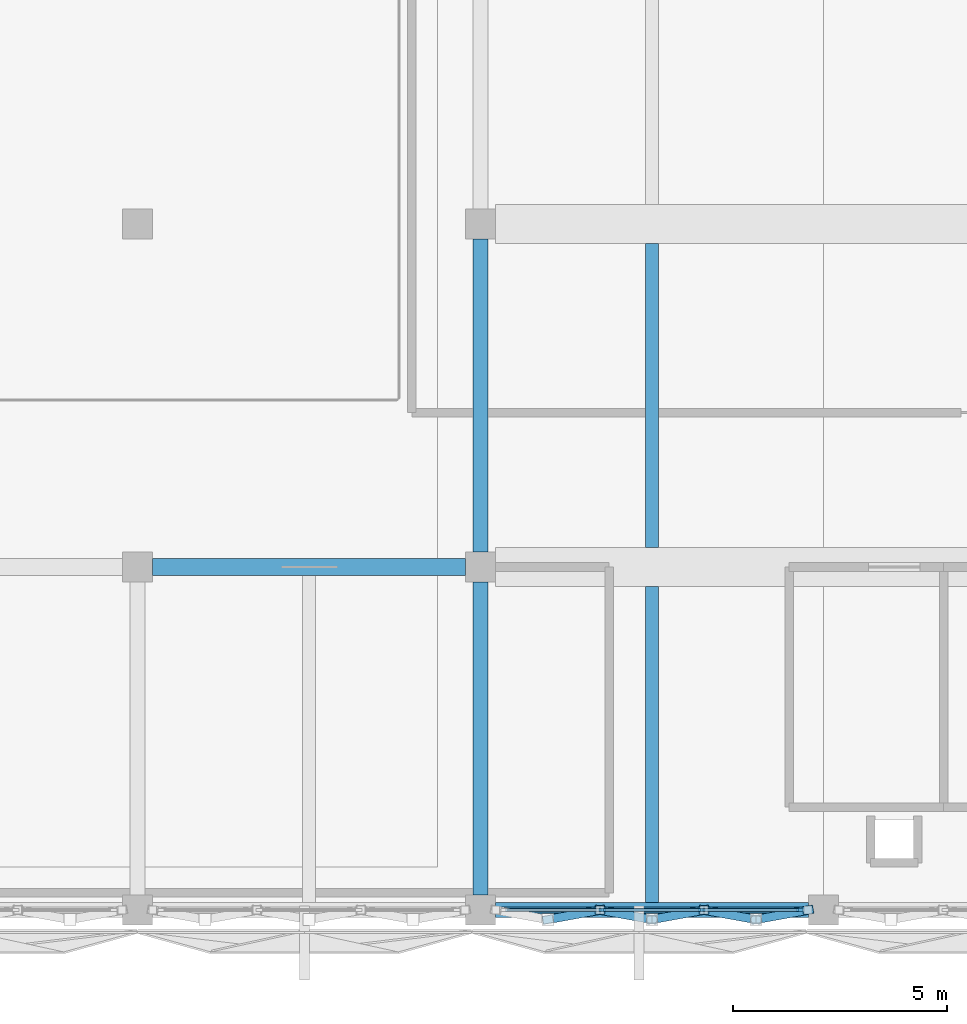
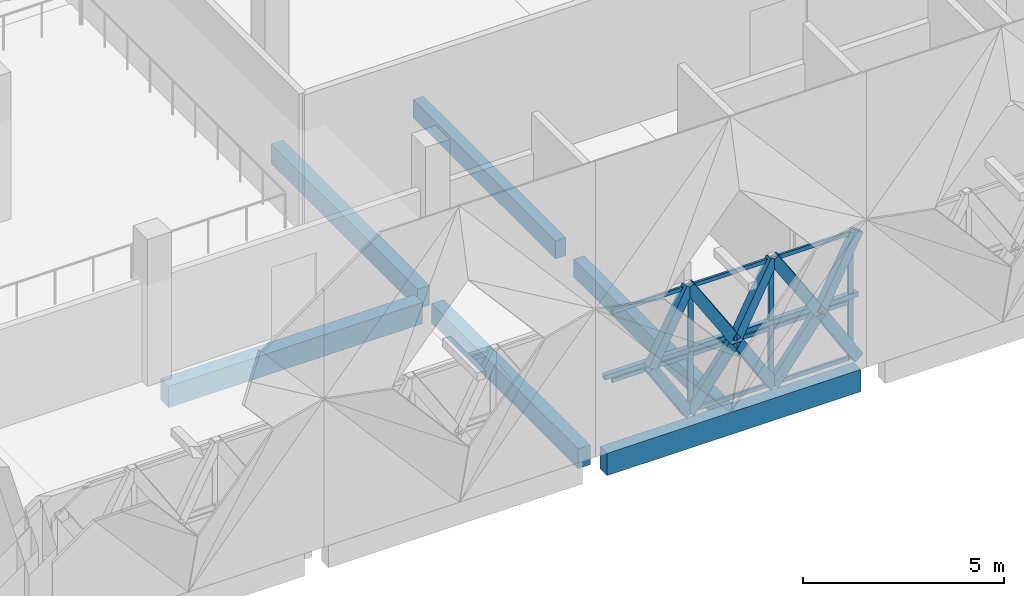
# One storey, part 8 of 37: 24 members, 6 beams, 1 element without a shape of its own.
"""IFC4 building model written with IfcOpenShell, lengths in metres."""

from ifc_helpers import new_model, si_unit, direction, frame, origin, origin_2d, place, context, subcontext, project, spatial, rectangle, hollow_rectangle, extrude, material, layer, layer_set, material_profile, profile_set, type_object, element, aggregate, save


model = new_model("IFC4")

# Units and contexts
model_context = context("Model", 3, precision=1e-05, world=origin(), true_north=direction((0.0, 1.0)))
body_context = subcontext(model_context, "Body", "Model", "MODEL_VIEW")
ifc_project = project(units=[si_unit("LENGTHUNIT", "METRE"), si_unit("AREAUNIT", "SQUARE_METRE"), si_unit("VOLUMEUNIT", "CUBIC_METRE"), si_unit("PLANEANGLEUNIT", "RADIAN"), si_unit("MASSUNIT", "GRAM", prefix="KILO")], contexts=[model_context])

# Site, building, storey
site_placement = place(None, origin())
site = spatial("IfcSite", under=ifc_project, at=site_placement, CompositionType="ELEMENT")
building_placement = place(site_placement, origin())
building = spatial("IfcBuilding", under=site, at=building_placement, Name="Qorikala Patio Media Centre", CompositionType="ELEMENT")
storey_placement = place(building_placement, frame((0.0, 0.0, 14.39990234375)))
storey = spatial("IfcBuildingStorey", under=building, at=storey_placement, Name="L03", CompositionType="ELEMENT", Elevation=14.39990234375)

# Beams
ifc_material_1 = material(Name="Concrete C35/45", Category="concrete")
ifc_material_profile_1 = material_profile(ifc_material_1, rectangle(XDim=0.35009765625, YDim=0.60009765625, at=origin_2d()), Name="RC 350x600")
ifc_profile_set_1 = profile_set([ifc_material_profile_1], Name="Concrete C35/45")
beam_type_1 = type_object("IfcBeamType", Name="BM-G350X600", PredefinedType="BEAM", material=ifc_profile_set_1)
for number, where, z_axis, x_axis, name in (
    (1, (59.0, 3.35009765625, -0.599853515625), (0.0, 1.0, 0.0), (-1.0, 0.0, 0.0), "L03 Grid X=59 Beam 1242"),
    (2, (59.0, 11.35009765625, -0.599853515625), (0.0, 1.0, 0.0), (-1.0, 0.0, 0.0), "L03 Grid X=59 Beam 1243"),
):
    element("IfcBeam", number, at=place(storey_placement, frame(where, z_axis=z_axis, x_axis=x_axis)), inside=storey, type_object=beam_type_1, Name=name, PredefinedType="BEAM", context=body_context, shape_type="SweptSolid", body=[
        extrude(rectangle(XDim=0.35009765625, YDim=0.60009765625, at=origin_2d()), origin(), (0.0, 0.0, 1.0), 7.2998046875),
    ])
ifc_material_profile_2 = material_profile(ifc_material_1, rectangle(XDim=0.39990234375, YDim=0.64990234375, at=origin_2d()), Name="RC 400x650")
ifc_profile_set_2 = profile_set([ifc_material_profile_2], Name="Concrete C35/45")
beam_type_2 = type_object("IfcBeamType", Name="BM-G400X650", PredefinedType="BEAM", material=ifc_profile_set_2)
beam_1_placement = place(storey_placement, frame((51.35009765625, 11.0, -0.625), z_axis=(1.0, 0.0, 0.0), x_axis=(0.0, 1.0, 0.0)))
element("IfcBeam", 3, at=beam_1_placement, inside=storey, type_object=beam_type_2, Name="L03 Grid 11 Beam 1121", PredefinedType="BEAM", context=body_context, shape_type="SweptSolid", body=[
    extrude(rectangle(XDim=0.39990234375, YDim=0.64990234375, at=origin_2d()), origin(), (0.0, 0.0, 1.0), 7.2998046875),
])

# Members
ifc_material_2 = material(Name="Golden Bronze Coated Steel S355", Category="steel")
ifc_material_profile_3 = material_profile(ifc_material_2, hollow_rectangle(XDim=0.139892578125, YDim=0.139892578125, WallThickness=0.006103515625, at=origin_2d()), Name="HSS140X140X6")
ifc_profile_set_3 = profile_set([ifc_material_profile_3], Name="Golden Bronze Coated Steel S355")
member_type_1 = type_object("IfcMemberType", Name="BRACE-DIA140", PredefinedType="BRACE", material=ifc_profile_set_3)
member_1_placement = place(storey_placement, frame((66.639892578125, 3.0, 1.925048828125), z_axis=(-1.0, 0.0, 0.0), x_axis=(0.0, -1.0, 0.0)))
element("IfcMember", 4, at=member_1_placement, inside=storey, type_object=member_type_1, Name="L03 Diamond Fold Tie 079", PredefinedType="BRACE", context=body_context, shape_type="SweptSolid", body=[
    extrude(hollow_rectangle(XDim=0.139892578125, YDim=0.139892578125, WallThickness=0.006103515625, at=origin_2d()), origin(), (0.0, 0.0, 1.0), 2.426513671875),
])
member_2_placement = place(storey_placement, frame((64.21337890625, 3.0, 1.925048828125), z_axis=(-1.0, 0.0, 0.0), x_axis=(0.0, -1.0, 0.0)))
element("IfcMember", 5, at=member_2_placement, inside=storey, type_object=member_type_1, Name="L03 Diamond Fold Tie 080", PredefinedType="BRACE", context=body_context, shape_type="SweptSolid", body=[
    extrude(hollow_rectangle(XDim=0.139892578125, YDim=0.139892578125, WallThickness=0.006103515625, at=origin_2d()), origin(), (0.0, 0.0, 1.0), 2.4267578125),
])
member_3_placement = place(storey_placement, frame((61.78662109375, 3.0, 1.925048828125), z_axis=(-1.0, 0.0, 0.0), x_axis=(0.0, -1.0, 0.0)))
element("IfcMember", 6, at=member_3_placement, inside=storey, type_object=member_type_1, Name="L03 Diamond Fold Tie 081", PredefinedType="BRACE", context=body_context, shape_type="SweptSolid", body=[
    extrude(hollow_rectangle(XDim=0.139892578125, YDim=0.139892578125, WallThickness=0.006103515625, at=origin_2d()), origin(), (0.0, 0.0, 1.0), 2.426513671875),
])

# Curtain wall, members
ifc_material_3 = material(Name="Golden Bronze Anodised Aluminium and Low-E Glass", Category="aluminium")
ifc_layer = layer(ifc_material_3, 0.159912109375)
ifc_layer_set = layer_set([ifc_layer], Name="Golden Bronze Anodised Aluminium and Low-E Glass")
curtain_wall_type = type_object("IfcCurtainWallType", Name="CW-DIA-696X385", PredefinedType="USERDEFINED", material=ifc_layer_set)
curtain_wall_placement = place(storey_placement, origin())
curtain_wall = element("IfcCurtainWall", 7, at=curtain_wall_placement, inside=storey, type_object=curtain_wall_type, Name="L03 Courtyard Curtain Wall 068", ObjectType="COURTYARD CURTAIN WALL", PredefinedType="USERDEFINED")
ifc_material_4 = material(Name="Golden Bronze Anodised Aluminium", Category="aluminium")
ifc_material_profile_4 = material_profile(ifc_material_4, rectangle(XDim=0.06494140625, YDim=0.14990234375, at=origin_2d()), Name="ALU MULLION 65x150")
ifc_profile_set_4 = profile_set([ifc_material_profile_4], Name="Golden Bronze Anodised Aluminium")
member_type_2 = type_object("IfcMemberType", Name="CWM-65X150", PredefinedType="MULLION", material=ifc_profile_set_4)
member_4_placement = place(storey_placement, frame((66.447509765625, 3.0, 0.0), z_axis=(0.0, 0.0, 1.0), x_axis=(0.0, -1.0, 0.0)))
member_4 = element("IfcMember", 8, at=member_4_placement, type_object=member_type_2, Name="CWD696385 mullion 1", PredefinedType="MULLION", context=body_context, shape_type="SweptSolid", body=[
    extrude(rectangle(XDim=0.06494140625, YDim=0.14990234375, at=origin_2d()), origin(), (0.0, 0.0, 1.0), 3.85009765625),
])
member_5_placement = place(storey_placement, frame((64.159912109375, 3.0, 0.0), z_axis=(0.0, 0.0, 1.0), x_axis=(0.0, -1.0, 0.0)))
member_5 = element("IfcMember", 9, at=member_5_placement, type_object=member_type_2, Name="CWD696385 mullion 2", PredefinedType="MULLION", context=body_context, shape_type="SweptSolid", body=[
    extrude(rectangle(XDim=0.06494140625, YDim=0.14990234375, at=origin_2d()), origin(), (0.0, 0.0, 1.0), 3.85009765625),
])
member_6_placement = place(storey_placement, frame((61.840087890625, 3.0, 0.0), z_axis=(0.0, 0.0, 1.0), x_axis=(0.0, -1.0, 0.0)))
member_6 = element("IfcMember", 10, at=member_6_placement, type_object=member_type_2, Name="CWD696385 mullion 3", PredefinedType="MULLION", context=body_context, shape_type="SweptSolid", body=[
    extrude(rectangle(XDim=0.06494140625, YDim=0.14990234375, at=origin_2d()), origin(), (0.0, 0.0, 1.0), 3.85009765625),
])
ifc_material_profile_5 = material_profile(ifc_material_4, rectangle(XDim=0.06494140625, YDim=0.1201171875, at=origin_2d()), Name="ALU TRANSOM 65x120")
ifc_profile_set_5 = profile_set([ifc_material_profile_5], Name="Golden Bronze Anodised Aluminium")
member_type_3 = type_object("IfcMemberType", Name="CWT-65X120", PredefinedType="USERDEFINED", material=ifc_profile_set_5)
member_7_placement = place(storey_placement, frame((66.4150390625, 3.0, 0.03271484375), z_axis=(-1.0, 0.0, 0.0), x_axis=(0.0, -1.0, 0.0)))
member_7 = element("IfcMember", 11, at=member_7_placement, type_object=member_type_3, Name="CWD696385 transom 1.1", ObjectType="TRANSOM", PredefinedType="USERDEFINED", context=body_context, shape_type="SweptSolid", body=[
    extrude(rectangle(XDim=0.06494140625, YDim=0.1201171875, at=origin_2d()), origin(), (0.0, 0.0, 1.0), 2.22265625),
])
member_8_placement = place(storey_placement, frame((66.4150390625, 3.0, 1.732666015625), z_axis=(-1.0, 0.0, 0.0), x_axis=(0.0, -1.0, 0.0)))
member_8 = element("IfcMember", 12, at=member_8_placement, type_object=member_type_3, Name="CWD696385 transom 1.2", ObjectType="TRANSOM", PredefinedType="USERDEFINED", context=body_context, shape_type="SweptSolid", body=[
    extrude(rectangle(XDim=0.06494140625, YDim=0.1201171875, at=origin_2d()), origin(), (0.0, 0.0, 1.0), 2.22265625),
])
member_9_placement = place(storey_placement, frame((66.4150390625, 3.0, 3.817626953125), z_axis=(-1.0, 0.0, 0.0), x_axis=(0.0, -1.0, 0.0)))
member_9 = element("IfcMember", 13, at=member_9_placement, type_object=member_type_3, Name="CWD696385 transom 1.3", ObjectType="TRANSOM", PredefinedType="USERDEFINED", context=body_context, shape_type="SweptSolid", body=[
    extrude(rectangle(XDim=0.06494140625, YDim=0.1201171875, at=origin_2d()), origin(), (0.0, 0.0, 1.0), 2.22265625),
])
member_10_placement = place(storey_placement, frame((64.12744140625, 3.0, 0.03271484375), z_axis=(-1.0, 0.0, 0.0), x_axis=(0.0, -1.0, 0.0)))
member_10 = element("IfcMember", 14, at=member_10_placement, type_object=member_type_3, Name="CWD696385 transom 2.1", ObjectType="TRANSOM", PredefinedType="USERDEFINED", context=body_context, shape_type="SweptSolid", body=[
    extrude(rectangle(XDim=0.06494140625, YDim=0.1201171875, at=origin_2d()), origin(), (0.0, 0.0, 1.0), 2.2548828125),
])
member_11_placement = place(storey_placement, frame((64.12744140625, 3.0, 1.732666015625), z_axis=(-1.0, 0.0, 0.0), x_axis=(0.0, -1.0, 0.0)))
member_11 = element("IfcMember", 15, at=member_11_placement, type_object=member_type_3, Name="CWD696385 transom 2.2", ObjectType="TRANSOM", PredefinedType="USERDEFINED", context=body_context, shape_type="SweptSolid", body=[
    extrude(rectangle(XDim=0.06494140625, YDim=0.1201171875, at=origin_2d()), origin(), (0.0, 0.0, 1.0), 2.2548828125),
])
member_12_placement = place(storey_placement, frame((64.12744140625, 3.0, 3.817626953125), z_axis=(-1.0, 0.0, 0.0), x_axis=(0.0, -1.0, 0.0)))
member_12 = element("IfcMember", 16, at=member_12_placement, type_object=member_type_3, Name="CWD696385 transom 2.3", ObjectType="TRANSOM", PredefinedType="USERDEFINED", context=body_context, shape_type="SweptSolid", body=[
    extrude(rectangle(XDim=0.06494140625, YDim=0.1201171875, at=origin_2d()), origin(), (0.0, 0.0, 1.0), 2.2548828125),
])
member_13_placement = place(storey_placement, frame((61.8076171875, 3.0, 1.732666015625), z_axis=(-1.0, 0.0, 0.0), x_axis=(0.0, -1.0, 0.0)))
member_13 = element("IfcMember", 17, at=member_13_placement, type_object=member_type_3, Name="CWD696385 transom 3.2", ObjectType="TRANSOM", PredefinedType="USERDEFINED", context=body_context, shape_type="SweptSolid", body=[
    extrude(rectangle(XDim=0.06494140625, YDim=0.1201171875, at=origin_2d()), origin(), (0.0, 0.0, 1.0), 2.22265625),
])
member_14_placement = place(storey_placement, frame((61.8076171875, 3.0, 3.817626953125), z_axis=(-1.0, 0.0, 0.0), x_axis=(0.0, -1.0, 0.0)))
member_14 = element("IfcMember", 18, at=member_14_placement, type_object=member_type_3, Name="CWD696385 transom 3.3", ObjectType="TRANSOM", PredefinedType="USERDEFINED", context=body_context, shape_type="SweptSolid", body=[
    extrude(rectangle(XDim=0.06494140625, YDim=0.1201171875, at=origin_2d()), origin(), (0.0, 0.0, 1.0), 2.22265625),
])
aggregate(curtain_wall, [member_4, member_5, member_6, member_7, member_8, member_9, member_10, member_11, member_12, member_13, member_14])

# Beams
ifc_material_profile_6 = material_profile(ifc_material_1, rectangle(XDim=0.300048828125, YDim=0.550048828125, at=origin_2d()), Name="RC 300x550")
ifc_profile_set_6 = profile_set([ifc_material_profile_6], Name="Concrete C35/45")
beam_type_3 = type_object("IfcBeamType", Name="JS-300X550", PredefinedType="JOIST", material=ifc_profile_set_6)
beam_2_placement = place(storey_placement, frame((63.0, 3.175048828125, -0.574951171875), z_axis=(0.0, 1.0, 0.0), x_axis=(-1.0, 0.0, 0.0)))
element("IfcBeam", 19, at=beam_2_placement, inside=storey, type_object=beam_type_3, Name="L03 Secondary Joist 1300", PredefinedType="JOIST", context=body_context, shape_type="SweptSolid", body=[
    extrude(rectangle(XDim=0.300048828125, YDim=0.550048828125, at=origin_2d()), origin(), (0.0, 0.0, 1.0), 7.375),
])
beam_3_placement = place(storey_placement, frame((63.0, 11.449951171875, -0.574951171875), z_axis=(0.0, 1.0, 0.0), x_axis=(-1.0, 0.0, 0.0)))
element("IfcBeam", 20, at=beam_3_placement, inside=storey, type_object=beam_type_3, Name="L03 Secondary Joist 1301", PredefinedType="JOIST", context=body_context, shape_type="SweptSolid", body=[
    extrude(rectangle(XDim=0.300048828125, YDim=0.550048828125, at=origin_2d()), origin(), (0.0, 0.0, 1.0), 7.10009765625),
])
ifc_material_profile_7 = material_profile(ifc_material_1, rectangle(XDim=0.35009765625, YDim=0.679931640625, at=origin_2d()), Name="RC 350x680")
ifc_profile_set_7 = profile_set([ifc_material_profile_7], Name="Concrete C35/45")
beam_type_4 = type_object("IfcBeamType", Name="SP-350X680", PredefinedType="SPANDREL", material=ifc_profile_set_7)
beam_4_placement = place(storey_placement, frame((59.35009765625, 3.0, -0.639892578125), z_axis=(1.0, 0.0, 0.0), x_axis=(0.0, 1.0, 0.0)))
element("IfcBeam", 21, at=beam_4_placement, inside=storey, type_object=beam_type_4, Name="L03 Grid 3 Beam 1110", PredefinedType="SPANDREL", context=body_context, shape_type="SweptSolid", body=[
    extrude(rectangle(XDim=0.35009765625, YDim=0.679931640625, at=origin_2d()), origin(), (0.0, 0.0, 1.0), 7.2998046875),
])

# Members
ifc_material_profile_8 = material_profile(ifc_material_2, hollow_rectangle(XDim=0.199951171875, YDim=0.300048828125, WallThickness=0.011962890625, at=origin_2d()), Name="HSS300X200X12")
ifc_profile_set_8 = profile_set([ifc_material_profile_8], Name="Golden Bronze Coated Steel S355")
member_type_4 = type_object("IfcMemberType", Name="STRUT-DIA300", PredefinedType="STRUT", material=ifc_profile_set_8)
member_15_placement = place(storey_placement, frame((66.639892578125, 3.0, 0.0), z_axis=(-0.530691378365, -0.095906793675, 0.842121456713), x_axis=(0.17783968734, -0.984059472596, 0.0)))
element("IfcMember", 22, at=member_15_placement, inside=storey, type_object=member_type_4, Name="L03 Diamond Foyer Fold Strut 079-DL1", PredefinedType="STRUT", context=body_context, shape_type="SweptSolid", body=[
    extrude(hollow_rectangle(XDim=0.199951171875, YDim=0.300048828125, WallThickness=0.011962890625, at=origin_2d()), origin(), (0.0, 0.0, 1.0), 2.285888671875),
])
member_16_placement = place(storey_placement, frame((64.21337890625, 3.0, 0.0), z_axis=(0.530768093717, -0.095901357778, 0.842073726148), x_axis=(0.177805036072, 0.98406573416, 0.0)))
element("IfcMember", 23, at=member_16_placement, inside=storey, type_object=member_type_4, Name="L03 Diamond Foyer Fold Strut 079-DL2", PredefinedType="STRUT", context=body_context, shape_type="SweptSolid", body=[
    extrude(hollow_rectangle(XDim=0.199951171875, YDim=0.300048828125, WallThickness=0.011962890625, at=origin_2d()), origin(), (0.0, 0.0, 1.0), 2.2861328125),
])
member_17_placement = place(storey_placement, frame((65.4267578125, 2.78076171875, 1.925048828125), z_axis=(0.530691378365, 0.095906793675, 0.842121456713), x_axis=(-0.17783968734, 0.984059472596, 0.0)))
element("IfcMember", 24, at=member_17_placement, inside=storey, type_object=member_type_4, Name="L03 Diamond Foyer Fold Strut 079-DU1", PredefinedType="STRUT", context=body_context, shape_type="SweptSolid", body=[
    extrude(hollow_rectangle(XDim=0.199951171875, YDim=0.300048828125, WallThickness=0.011962890625, at=origin_2d()), origin(), (0.0, 0.0, 1.0), 2.285888671875),
])
for number, where, z_axis, x_axis, name in (
    (25, (65.4267578125, 2.78076171875, 1.925048828125), (-0.530768093717, 0.095901357778, 0.842073726148), (-0.177805036072, -0.98406573416, 0.0), "L03 Diamond Foyer Fold Strut 079-DU2"),
    (26, (64.21337890625, 3.0, 0.0), (-0.530768093717, -0.095901357778, 0.842073726148), (0.177805036072, -0.98406573416, 0.0), "L03 Diamond Foyer Fold Strut 080-DL1"),
    (27, (61.78662109375, 3.0, 0.0), (0.530768093717, -0.095901357778, 0.842073726148), (0.177805036072, 0.98406573416, 0.0), "L03 Diamond Foyer Fold Strut 080-DL2"),
    (28, (63.0, 2.78076171875, 1.925048828125), (0.530768093717, 0.095901357778, 0.842073726148), (-0.177805036072, 0.98406573416, 0.0), "L03 Diamond Foyer Fold Strut 080-DU1"),
    (29, (63.0, 2.78076171875, 1.925048828125), (-0.530768093717, 0.095901357778, 0.842073726148), (-0.177805036072, -0.98406573416, 0.0), "L03 Diamond Foyer Fold Strut 080-DU2"),
    (30, (61.78662109375, 3.0, 0.0), (-0.530768093717, -0.095901357778, 0.842073726148), (0.177805036072, -0.98406573416, 0.0), "L03 Diamond Foyer Fold Strut 081-DL1"),
    (31, (60.5732421875, 2.78076171875, 1.925048828125), (0.530768093717, 0.095901357778, 0.842073726148), (-0.177805036072, 0.98406573416, 0.0), "L03 Diamond Foyer Fold Strut 081-DU1"),
):
    element("IfcMember", number, at=place(storey_placement, frame(where, z_axis=z_axis, x_axis=x_axis)), inside=storey, type_object=member_type_4, Name=name, PredefinedType="STRUT", context=body_context, shape_type="SweptSolid", body=[
        extrude(hollow_rectangle(XDim=0.199951171875, YDim=0.300048828125, WallThickness=0.011962890625, at=origin_2d()), origin(), (0.0, 0.0, 1.0), 2.2861328125),
    ])

save(model, "model.ifc")
